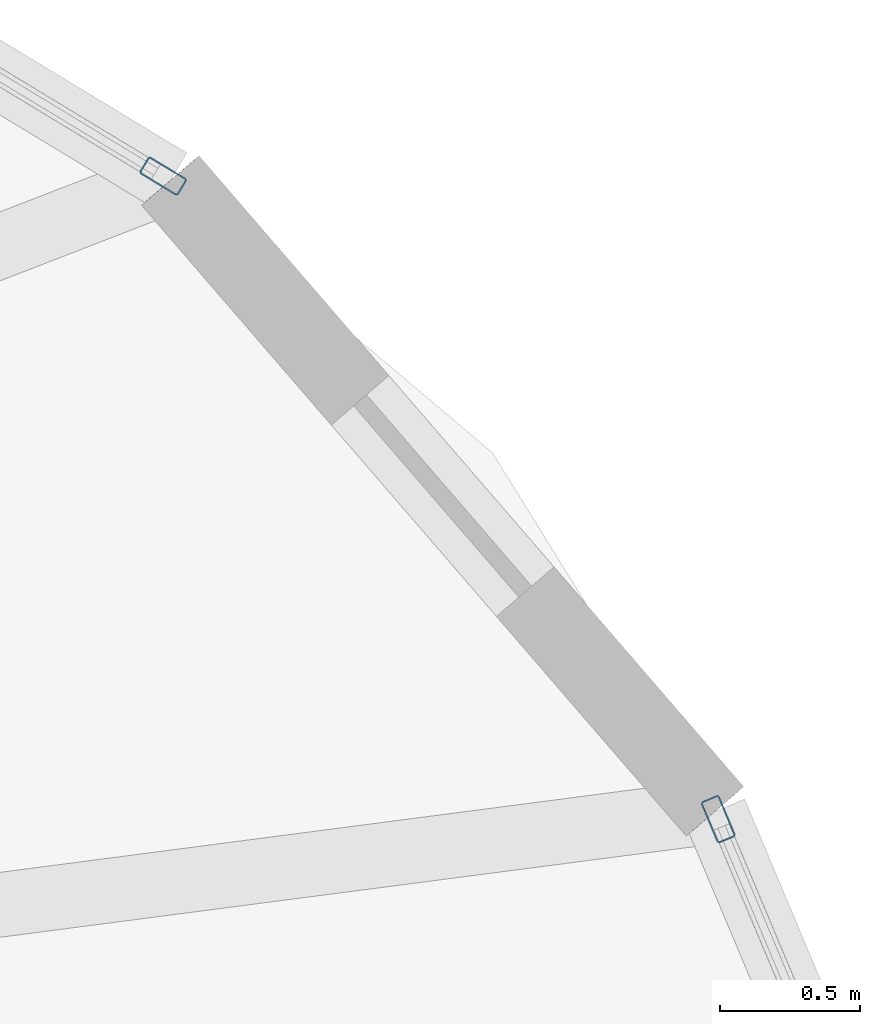
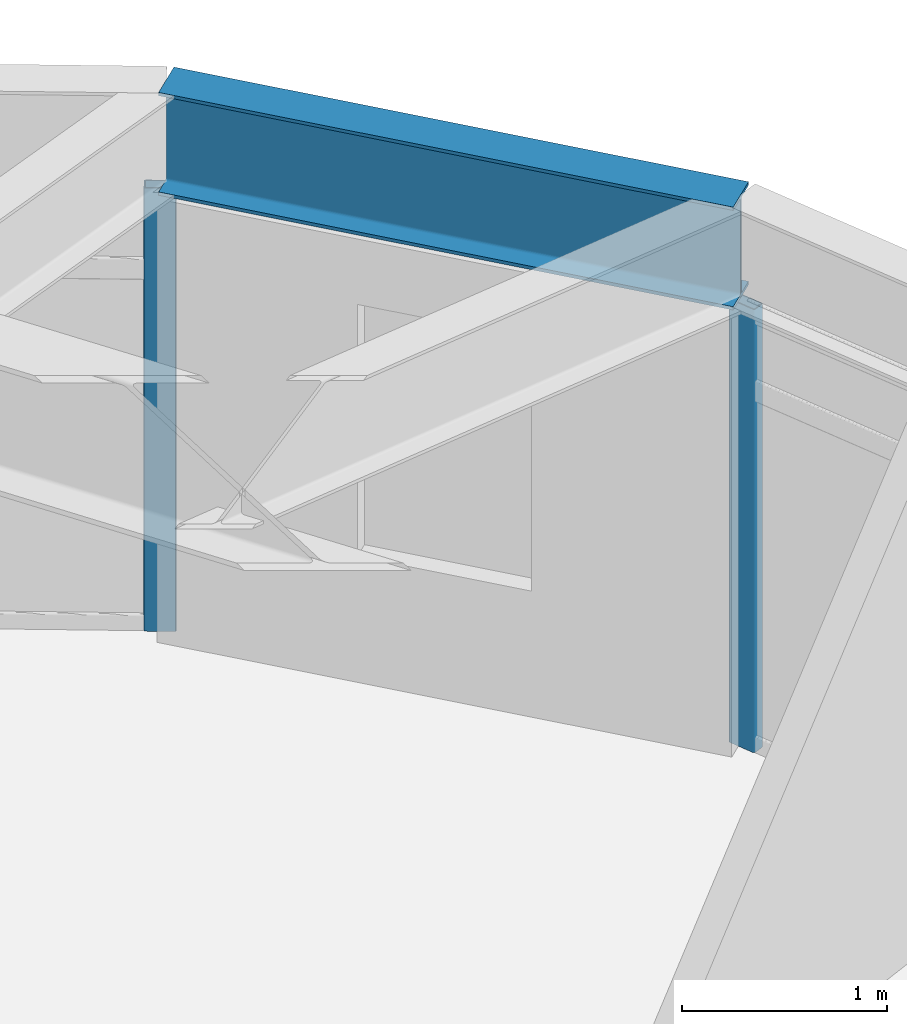
# One storey, part 20 of 27: 2 members, 1 beam, 2 elements without a shape of their own.
"""IFC4 building model written with IfcOpenShell, lengths in metres."""

from ifc_helpers import new_model, si_unit, direction, frame, origin, origin_2d, place, context, subcontext, project, spatial, hollow_rectangle, i_section, extrude, material, layer, layer_set, material_profile, profile_set, type_object, element, aggregate, save


model = new_model("IFC4")

# Units and contexts
model_context = context("Model", 3, precision=1e-05, world=origin(), true_north=direction((0.0, 1.0)))
body_context = subcontext(model_context, "Body", "Model", "MODEL_VIEW")
ifc_project = project(units=[si_unit("LENGTHUNIT", "METRE"), si_unit("AREAUNIT", "SQUARE_METRE"), si_unit("VOLUMEUNIT", "CUBIC_METRE"), si_unit("PLANEANGLEUNIT", "RADIAN"), si_unit("MASSUNIT", "GRAM", prefix="KILO")], contexts=[model_context])

# Site, building, storey
site_placement = place(None, origin())
site = spatial("IfcSite", under=ifc_project, at=site_placement, CompositionType="ELEMENT")
building_placement = place(site_placement, origin())
building = spatial("IfcBuilding", under=site, at=building_placement, Name="Soratama Intermodal Tower", CompositionType="ELEMENT")
storey_placement = place(building_placement, frame((0.0, 0.0, 182.199951171875)))
storey = spatial("IfcBuildingStorey", under=building, at=storey_placement, Name="L45", CompositionType="ELEMENT", Elevation=182.199951171875)

# Beam
ifc_material_1 = material(Name="Structural steel ASTM A992 Grade 50", Category="steel")
ifc_material_profile_1 = material_profile(ifc_material_1, i_section(OverallWidth=0.22900390625, OverallDepth=0.612060546875, WebThickness=0.011962890625, FlangeThickness=0.01953125, FilletRadius=0.012939453125, at=origin_2d()), Name="W24X84")
ifc_profile_set_1 = profile_set([ifc_material_profile_1], Name="Structural steel ASTM A992 Grade 50")
beam_type = type_object("IfcBeamType", Name="BM-SPN-W24X84", PredefinedType="SPANDREL", material=ifc_profile_set_1)
beam_placement = place(storey_placement, frame((60.678955078125, 36.573974609375, 2.9541015625), z_axis=(-0.653457050601, 0.75696359425, 0.0), x_axis=(-0.75696359425, -0.653457050601, 0.0)))
element("IfcBeam", 1, at=beam_placement, inside=storey, type_object=beam_type, Name="BS-L45-CRN10", PredefinedType="SPANDREL", context=body_context, shape_type="SweptSolid", body=[
    extrude(i_section(OverallWidth=0.22900390625, OverallDepth=0.612060546875, WebThickness=0.011962890625, FlangeThickness=0.01953125, FilletRadius=0.012939453125, at=origin_2d()), origin(), (0.0, 0.0, 1.0), 2.96728515625),
])

# Curtain wall, member
ifc_material_2 = material(Name="Double-glazed aluminium curtain wall", Category="aluminium")
ifc_layer = layer(ifc_material_2, 0.159912109375)
ifc_layer_set = layer_set([ifc_layer], Name="Double-glazed aluminium curtain wall")
curtain_wall_type = type_object("IfcCurtainWallType", Name="CW-SYS-4", PredefinedType="NOTDEFINED", material=ifc_layer_set)
curtain_wall_1_placement = place(storey_placement, origin())
curtain_wall_1 = element("IfcCurtainWall", 2, at=curtain_wall_1_placement, inside=storey, type_object=curtain_wall_type, Name="L45 Faceted Curtain Wall F01", PredefinedType="NOTDEFINED")
ifc_material_3 = material(Name="Anodised aluminium AA 6063-T6", Category="aluminium")
ifc_material_profile_2 = material_profile(ifc_material_3, hollow_rectangle(XDim=0.070068359375, YDim=0.159912109375, WallThickness=0.0048828125, InnerFilletRadius=0.0048828125, OuterFilletRadius=0.010009765625, at=origin_2d()), Name="CWM160X70X5")
ifc_profile_set_2 = profile_set([ifc_material_profile_2], Name="Anodised aluminium AA 6063-T6")
member_type = type_object("IfcMemberType", Name="MT-CWM-4", PredefinedType="MULLION", material=ifc_profile_set_2)
member_1_placement = place(storey_placement, frame((58.71484375, 38.83544921875, 0.0), z_axis=(0.0, 0.0, 1.0), x_axis=(-0.51802695324, -0.855364294156, 0.0)))
member_1 = element("IfcMember", 3, at=member_1_placement, type_object=member_type, Name="CW-4 mullion 1", PredefinedType="MULLION", context=body_context, shape_type="SweptSolid", body=[
    extrude(hollow_rectangle(XDim=0.070068359375, YDim=0.159912109375, WallThickness=0.0048828125, InnerFilletRadius=0.0048828125, OuterFilletRadius=0.010009765625, at=origin_2d()), origin(), (0.0, 0.0, 1.0), 2.63916015625),
])
aggregate(curtain_wall_1, [member_1])

curtain_wall_2_placement = place(storey_placement, origin())
curtain_wall_2 = element("IfcCurtainWall", 4, at=curtain_wall_2_placement, inside=storey, type_object=curtain_wall_type, Name="L45 Faceted Curtain Wall F10", PredefinedType="NOTDEFINED")
member_2_placement = place(storey_placement, frame((60.6904296875, 36.546630859375, 0.0), z_axis=(0.0, 0.0, 1.0), x_axis=(-0.921860983025, -0.387520745221, 0.0)))
member_2 = element("IfcMember", 5, at=member_2_placement, type_object=member_type, Name="CW-4 mullion 3", PredefinedType="MULLION", context=body_context, shape_type="SweptSolid", body=[
    extrude(hollow_rectangle(XDim=0.070068359375, YDim=0.159912109375, WallThickness=0.0048828125, InnerFilletRadius=0.0048828125, OuterFilletRadius=0.010009765625, at=origin_2d()), origin(), (0.0, 0.0, 1.0), 2.63916015625),
])
aggregate(curtain_wall_2, [member_2])

save(model, "model.ifc")
